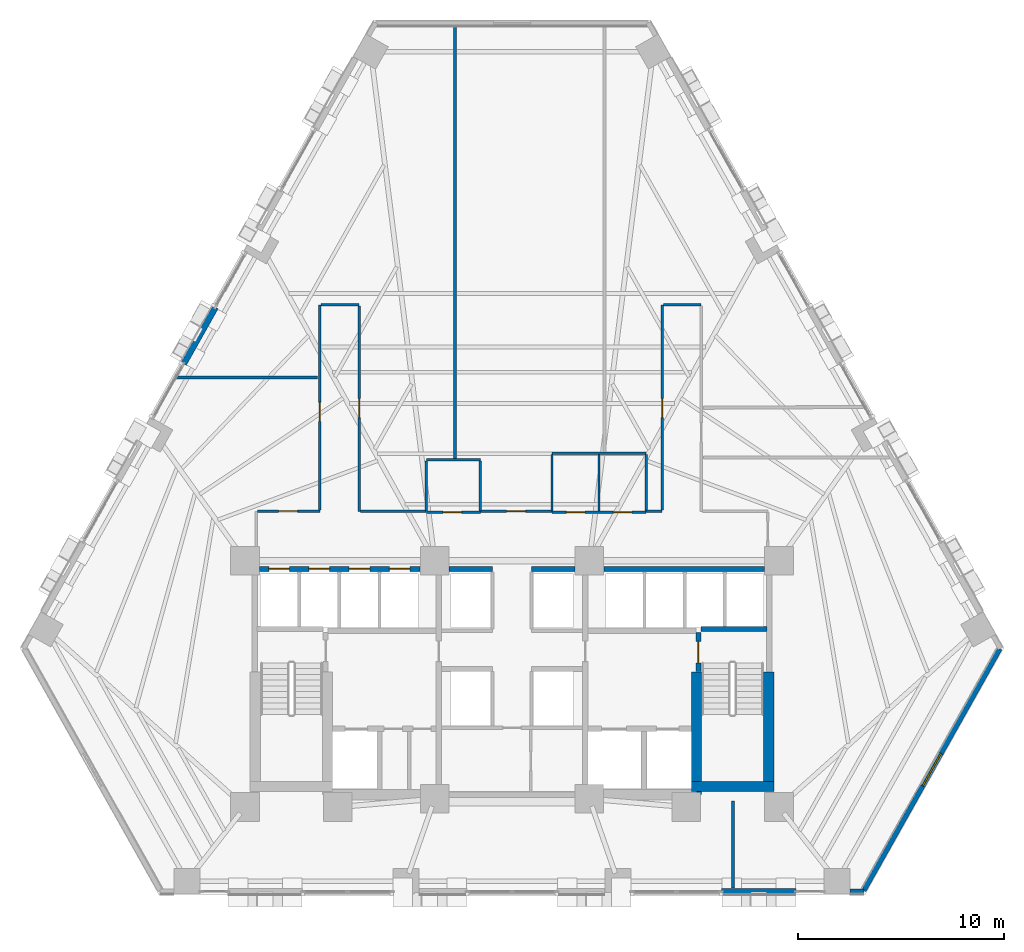
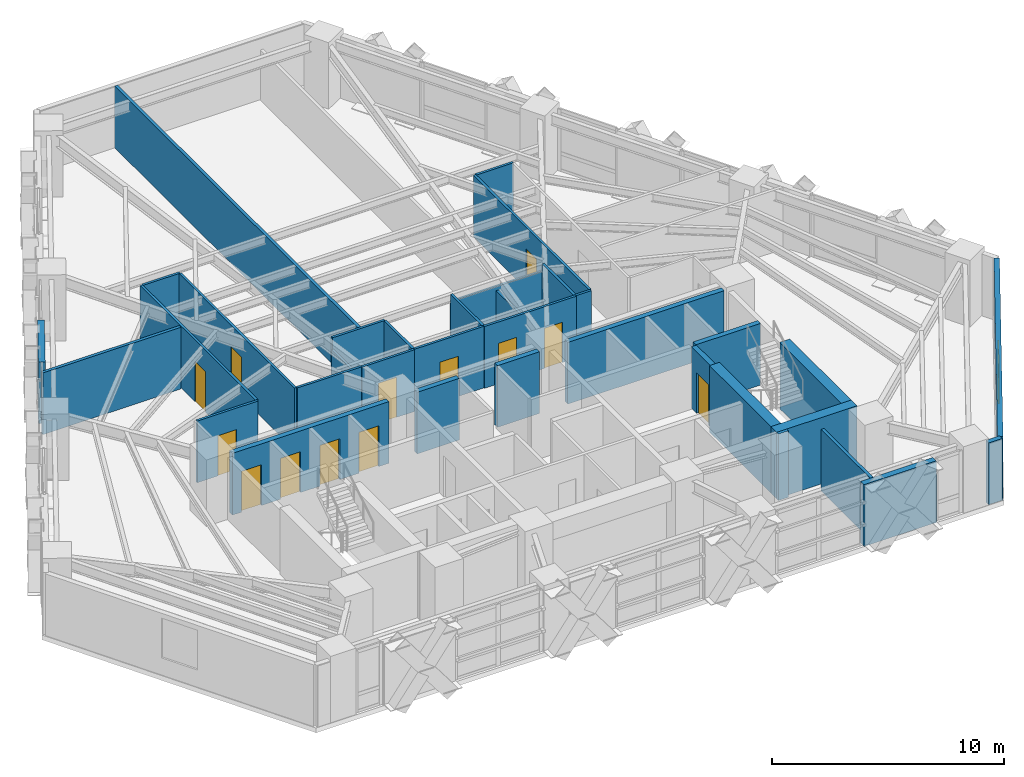
# One storey, part 8 of 13: 34 walls, 13 doors, 1 window, 14 openings.
"""IFC4 building model written with IfcOpenShell, lengths in metres."""

from ifc_helpers import new_model, si_unit, direction, frame, frame_2d, origin, place, context, subcontext, project, spatial, rectangle, extrude, material, layer, layer_set, type_object, element, fill, save


model = new_model("IFC4")

# Units and contexts
model_context = context("Model", 3, precision=1e-05, world=origin(), true_north=direction((0.0, 1.0)))
body_context = subcontext(model_context, "Body", "Model", "MODEL_VIEW")
ifc_project = project(units=[si_unit("LENGTHUNIT", "METRE"), si_unit("AREAUNIT", "SQUARE_METRE"), si_unit("VOLUMEUNIT", "CUBIC_METRE"), si_unit("PLANEANGLEUNIT", "RADIAN"), si_unit("MASSUNIT", "GRAM", prefix="KILO")], contexts=[model_context])

# Site, building, storey
site_placement = place(None, origin())
site = spatial("IfcSite", under=ifc_project, at=site_placement, CompositionType="ELEMENT")
building_placement = place(site_placement, origin())
building = spatial("IfcBuilding", under=site, at=building_placement, Name="Quenlor Broadcast Tower", CompositionType="ELEMENT")
storey_placement = place(building_placement, frame((0.0, 0.0, 62.60009765625)))
storey = spatial("IfcBuildingStorey", under=building, at=storey_placement, Name="L16", CompositionType="ELEMENT", Elevation=62.60009765625)

# Walls
ifc_material_1 = material(Name="Acoustic Double Stud Gypsum Partition", Category="other")
ifc_layer_1 = layer(ifc_material_1, 0.14990234375)
ifc_layer_set_1 = layer_set([ifc_layer_1], Name="Broadcast Studio Acoustic Partition 150")
wall_type_1 = type_object("IfcWallType", Name="Broadcast Studio Acoustic Partition 150", PredefinedType="PARTITIONING", material=ifc_layer_set_1)
wall_1_placement = place(storey_placement, frame((-2.760009765625, 0.169921875, 0.0), z_axis=(0.0, 0.0, 1.0), x_axis=(0.0, 1.0, 0.0)))
element("IfcWall", 1, at=wall_1_placement, inside=storey, type_object=wall_type_1, Name="L16 Interior Wall PW-DV-01", PredefinedType="PARTITIONING", context=body_context, shape_type="SweptSolid", body=[
    extrude(rectangle(XDim=20.97998046875, YDim=0.14990234375, at=frame_2d((10.489990234375, 0.0))), origin(), (0.0, 0.0, 1.0), 3.25),
])
wall_2_placement = place(storey_placement, frame((-9.429931640625, 4.080078125, 0.0), z_axis=(0.0, 0.0, 1.0), x_axis=(-1.0, 0.0, 0.0)))
element("IfcWall", 2, at=wall_2_placement, inside=storey, type_object=wall_type_1, Name="L16 Interior Wall PW-DV-03", PredefinedType="PARTITIONING", context=body_context, shape_type="SweptSolid", body=[
    extrude(rectangle(XDim=6.86767578125, YDim=0.14990234375, at=frame_2d((3.433837890625, 0.0))), origin(), (0.0, 0.0, 1.0), 3.25),
])
wall_3_placement = place(storey_placement, frame((10.72509765625, -20.68798828125, 0.0), z_axis=(0.0, 0.0, 1.0), x_axis=(0.0, 1.0, 0.0)))
element("IfcWall", 3, at=wall_3_placement, inside=storey, type_object=wall_type_1, Name="L16 Interior Wall PW-DV-06", PredefinedType="PARTITIONING", context=body_context, shape_type="SweptSolid", body=[
    extrude(rectangle(XDim=4.238037109375, YDim=0.14990234375, at=frame_2d((2.119140625, 0.0))), origin(), (0.0, 0.0, 1.0), 3.25),
])
ifc_material_2 = material(Name="Concrete C65/80", Category="concrete")
ifc_layer_2 = layer(ifc_material_2, 0.5)
ifc_layer_set_2 = layer_set([ifc_layer_2], Name="Core Concrete C65/80 Shear Wall 500")
wall_type_2 = type_object("IfcWallType", Name="Core Concrete C65/80 Shear Wall 500", PredefinedType="SHEAR", material=ifc_layer_set_2)
wall_4_placement = place(storey_placement, frame((8.699951171875, -15.75, 0.0), z_axis=(0.0, 0.0, 1.0), x_axis=(1.0, 0.0, 0.0)))
element("IfcWall", 4, at=wall_4_placement, inside=storey, type_object=wall_type_2, Name="L16 Core Shear Wall WS-E2", PredefinedType="SHEAR", context=body_context, shape_type="SweptSolid", body=[
    extrude(rectangle(XDim=4.0, YDim=0.5, at=frame_2d((2.0, 0.0))), origin(), (0.0, 0.0, 1.0), 3.5),
])
wall_5_placement = place(storey_placement, frame((12.449951171875, -15.75, 0.0), z_axis=(0.0, 0.0, 1.0), x_axis=(0.0, 1.0, 0.0)))
element("IfcWall", 5, at=wall_5_placement, inside=storey, type_object=wall_type_2, Name="L16 Core Shear Wall WF-E", PredefinedType="SHEAR", context=body_context, shape_type="SweptSolid", body=[
    extrude(rectangle(XDim=5.550048828125, YDim=0.5, at=frame_2d((2.77490234375, 0.0))), origin(), (0.0, 0.0, 1.0), 3.5),
])
wall_6_placement = place(storey_placement, frame((8.949951171875, -16.14990234375, 0.0), z_axis=(0.0, 0.0, 1.0), x_axis=(0.0, 1.0, 0.0)))
element("IfcWall", 6, at=wall_6_placement, inside=storey, type_object=wall_type_2, Name="L16 Core Shear Wall WI-E", PredefinedType="SHEAR", context=body_context, shape_type="SweptSolid", body=[
    extrude(rectangle(XDim=5.949951171875, YDim=0.5, at=frame_2d((2.97509765625, 0.0))), origin(), (0.0, 0.0, 1.0), 3.5),
])

# Wall, opening, door
ifc_material_3 = material(Name="Concrete C40/50", Category="concrete")
ifc_layer_3 = layer(ifc_material_3, 0.25)
ifc_layer_set_3 = layer_set([ifc_layer_3], Name="Fire Rated Concrete C40/50 Core Wall 250")
wall_type_3 = type_object("IfcWallType", Name="Fire Rated Concrete C40/50 Core Wall 250", PredefinedType="PARTITIONING", material=ifc_layer_set_3)
wall_7_placement = place(storey_placement, frame((9.0400390625, -10.179931640625, 0.0), z_axis=(0.0, 0.0, 1.0), x_axis=(0.0, 1.0, 0.0)))
wall_7 = element("IfcWall", 7, at=wall_7_placement, inside=storey, type_object=wall_type_3, Name="L16 Interior Wall CW-ST2-DR", PredefinedType="PARTITIONING", context=body_context, shape_type="SweptSolid", body=[
    extrude(rectangle(XDim=1.89990234375, YDim=0.25, at=frame_2d((0.949951171875, 0.0))), origin(), (0.0, 0.0, 1.0), 3.25),
])
opening_1_placement = place(wall_7_placement, frame((0.419921875, 0.0, 0.0)))
opening_1 = element("IfcOpeningElement", 8, at=opening_1_placement, cuts=wall_7, Name="Opening FD-1", PredefinedType="OPENING", context=body_context, shape_type="SweptSolid", body=[
    extrude(rectangle(XDim=1.050048828125, YDim=2.14990234375, at=frame_2d((0.52490234375, 1.074951171875))), frame((0.0, 0.135009765625, 0.0), z_axis=(0.0, -1.0, 0.0), x_axis=(1.0, 0.0, 0.0)), (0.0, 0.0, 1.0), 0.27001953125),
])
ifc_material_4 = material(Name="Fire Rated Steel Door Leaf", Category="steel")
door_type_1 = type_object("IfcDoorType", Name="Fire Isolated Stair Door 1050x2150", OperationType="NOTDEFINED", PredefinedType="DOOR", material=ifc_material_4)
door_1_placement = place(opening_1_placement, origin())
door_1 = element("IfcDoor", 9, at=door_1_placement, inside=storey, type_object=door_type_1, Name="L16 Door DR-ST2", OperationType="SINGLE_SWING_RIGHT", OverallHeight=2.14990234375, OverallWidth=1.050048828125, PredefinedType="DOOR", context=body_context, shape_type="SweptSolid", body=[
    extrude(rectangle(XDim=1.050048828125, YDim=2.14990234375, at=frame_2d((0.52490234375, 1.074951171875))), frame((0.0, 0.02490234375, 0.0), z_axis=(0.0, -1.0, 0.0), x_axis=(1.0, 0.0, 0.0)), (0.0, 0.0, 1.0), 0.050048828125),
])
fill(opening_1, door_1)

# Wall
wall_8_placement = place(storey_placement, frame((9.159912109375, -8.1201171875, 0.0), z_axis=(0.0, 0.0, 1.0), x_axis=(1.0, 0.0, 0.0)))
element("IfcWall", 10, at=wall_8_placement, inside=storey, type_object=wall_type_3, Name="L16 Interior Wall CW-ST2-N", PredefinedType="PARTITIONING", context=body_context, shape_type="SweptSolid", body=[
    extrude(rectangle(XDim=3.219970703125, YDim=0.25, at=frame_2d((1.60986328125, 0.0))), origin(), (0.0, 0.0, 1.0), 3.25),
])

# Wall, openings, doors
wall_9_placement = place(storey_placement, frame((-12.248046875, -5.199951171875, 0.0), z_axis=(0.0, 0.0, 1.0), x_axis=(1.0, 0.0, 0.0)))
wall_9 = element("IfcWall", 11, at=wall_9_placement, inside=storey, type_object=wall_type_3, Name="L16 Interior Wall CW-N-W", PredefinedType="PARTITIONING", context=body_context, shape_type="SweptSolid", body=[
    extrude(rectangle(XDim=7.796142578125, YDim=0.25, at=frame_2d((3.89794921875, 0.0))), origin(), (0.0, 0.0, 1.0), 3.25),
])
opening_2_placement = place(wall_9_placement, frame((0.447998046875, 0.0, 0.0)))
opening_2 = element("IfcOpeningElement", 12, at=opening_2_placement, cuts=wall_9, Name="Opening LD-PL-L1", PredefinedType="OPENING", context=body_context, shape_type="SweptSolid", body=[
    extrude(rectangle(XDim=1.0, YDim=2.14990234375, at=frame_2d((0.5, 1.074951171875))), frame((0.0, 0.135009765625, 0.0), z_axis=(0.0, -1.0, 0.0), x_axis=(1.0, 0.0, 0.0)), (0.0, 0.0, 1.0), 0.27001953125),
])
opening_3_placement = place(wall_9_placement, frame((2.39794921875, 0.0, 0.0)))
opening_3 = element("IfcOpeningElement", 13, at=opening_3_placement, cuts=wall_9, Name="Opening LD-PL-L2", PredefinedType="OPENING", context=body_context, shape_type="SweptSolid", body=[
    extrude(rectangle(XDim=1.0, YDim=2.14990234375, at=frame_2d((0.5, 1.074951171875))), frame((0.0, 0.135009765625, 0.0), z_axis=(0.0, -1.0, 0.0), x_axis=(1.0, 0.0, 0.0)), (0.0, 0.0, 1.0), 0.27001953125),
])
opening_4_placement = place(wall_9_placement, frame((4.347900390625, 0.0, 0.0)))
opening_4 = element("IfcOpeningElement", 14, at=opening_4_placement, cuts=wall_9, Name="Opening LD-PL-L3", PredefinedType="OPENING", context=body_context, shape_type="SweptSolid", body=[
    extrude(rectangle(XDim=1.0, YDim=2.14990234375, at=frame_2d((0.5, 1.074951171875))), frame((0.0, 0.135009765625, 0.0), z_axis=(0.0, -1.0, 0.0), x_axis=(1.0, 0.0, 0.0)), (0.0, 0.0, 1.0), 0.27001953125),
])
opening_5_placement = place(wall_9_placement, frame((6.298095703125, 0.0, 0.0)))
opening_5 = element("IfcOpeningElement", 15, at=opening_5_placement, cuts=wall_9, Name="Opening LD-PL-L4", PredefinedType="OPENING", context=body_context, shape_type="SweptSolid", body=[
    extrude(rectangle(XDim=1.0, YDim=2.14990234375, at=frame_2d((0.5, 1.074951171875))), frame((0.0, 0.135009765625, 0.0), z_axis=(0.0, -1.0, 0.0), x_axis=(1.0, 0.0, 0.0)), (0.0, 0.0, 1.0), 0.27001953125),
])
ifc_material_5 = material(Name="Brushed Stainless Steel", Category="steel")
door_type_2 = type_object("IfcDoorType", Name="Passenger Lift Sliding Landing Door 1000x2150", OperationType="NOTDEFINED", PredefinedType="DOOR", material=ifc_material_5)
door_2_placement = place(opening_2_placement, origin())
door_2 = element("IfcDoor", 16, at=door_2_placement, inside=storey, type_object=door_type_2, Name="L16 Door LD-PL-L1", OperationType="SLIDING_TO_LEFT", OverallHeight=2.14990234375, OverallWidth=1.0, PredefinedType="DOOR", context=body_context, shape_type="SweptSolid", body=[
    extrude(rectangle(XDim=1.0, YDim=2.14990234375, at=frame_2d((0.5, 1.074951171875))), frame((0.0, 0.02490234375, 0.0), z_axis=(0.0, -1.0, 0.0), x_axis=(1.0, 0.0, 0.0)), (0.0, 0.0, 1.0), 0.050048828125),
])
fill(opening_2, door_2)
door_3_placement = place(opening_3_placement, origin())
door_3 = element("IfcDoor", 17, at=door_3_placement, inside=storey, type_object=door_type_2, Name="L16 Door LD-PL-L2", OperationType="SLIDING_TO_LEFT", OverallHeight=2.14990234375, OverallWidth=1.0, PredefinedType="DOOR", context=body_context, shape_type="SweptSolid", body=[
    extrude(rectangle(XDim=1.0, YDim=2.14990234375, at=frame_2d((0.5, 1.074951171875))), frame((0.0, 0.02490234375, 0.0), z_axis=(0.0, -1.0, 0.0), x_axis=(1.0, 0.0, 0.0)), (0.0, 0.0, 1.0), 0.050048828125),
])
fill(opening_3, door_3)
door_4_placement = place(opening_4_placement, origin())
door_4 = element("IfcDoor", 18, at=door_4_placement, inside=storey, type_object=door_type_2, Name="L16 Door LD-PL-L3", OperationType="SLIDING_TO_LEFT", OverallHeight=2.14990234375, OverallWidth=1.0, PredefinedType="DOOR", context=body_context, shape_type="SweptSolid", body=[
    extrude(rectangle(XDim=1.0, YDim=2.14990234375, at=frame_2d((0.5, 1.074951171875))), frame((0.0, 0.02490234375, 0.0), z_axis=(0.0, -1.0, 0.0), x_axis=(1.0, 0.0, 0.0)), (0.0, 0.0, 1.0), 0.050048828125),
])
fill(opening_4, door_4)
door_5_placement = place(opening_5_placement, origin())
door_5 = element("IfcDoor", 19, at=door_5_placement, inside=storey, type_object=door_type_2, Name="L16 Door LD-PL-L4", OperationType="SLIDING_TO_LEFT", OverallHeight=2.14990234375, OverallWidth=1.0, PredefinedType="DOOR", context=body_context, shape_type="SweptSolid", body=[
    extrude(rectangle(XDim=1.0, YDim=2.14990234375, at=frame_2d((0.5, 1.074951171875))), frame((0.0, 0.02490234375, 0.0), z_axis=(0.0, -1.0, 0.0), x_axis=(1.0, 0.0, 0.0)), (0.0, 0.0, 1.0), 0.050048828125),
])
fill(opening_5, door_5)

# Walls
wall_10_placement = place(storey_placement, frame((4.451904296875, -5.199951171875, 0.0), z_axis=(0.0, 0.0, 1.0), x_axis=(1.0, 0.0, 0.0)))
element("IfcWall", 20, at=wall_10_placement, inside=storey, type_object=wall_type_3, Name="L16 Interior Wall CW-N-E", PredefinedType="PARTITIONING", context=body_context, shape_type="SweptSolid", body=[
    extrude(rectangle(XDim=7.796142578125, YDim=0.25, at=frame_2d((3.89794921875, 0.0))), origin(), (0.0, 0.0, 1.0), 3.25),
])
for number, where, z_axis, x_axis, name in (
    (21, (-3.048095703125, -5.199951171875, 0.0), (0.0, 0.0, 1.0), (1.0, 0.0, 0.0), "L16 Interior Wall CW-N-M1"),
    (22, (0.949951171875, -5.199951171875, 0.0), (0.0, 0.0, 1.0), (1.0, 0.0, 0.0), "L16 Interior Wall CW-N-M2"),
):
    element("IfcWall", number, at=place(storey_placement, frame(where, z_axis=z_axis, x_axis=x_axis)), inside=storey, type_object=wall_type_3, Name=name, PredefinedType="PARTITIONING", context=body_context, shape_type="SweptSolid", body=[
        extrude(rectangle(XDim=2.09814453125, YDim=0.25, at=frame_2d((1.049072265625, 0.0))), origin(), (0.0, 0.0, 1.0), 3.25),
    ])

# Wall, opening, door
ifc_material_6 = material(Name="Gypsum Plasterboard Partition", Category="other")
ifc_layer_4 = layer(ifc_material_6, 0.1201171875)
ifc_layer_set_4 = layer_set([ifc_layer_4], Name="Standard Office Partition 120")
wall_type_4 = type_object("IfcWallType", Name="Standard Office Partition 120", PredefinedType="PARTITIONING", material=ifc_layer_set_4)
wall_11_placement = place(storey_placement, frame((-4.159912109375, -2.43994140625, 0.0), z_axis=(0.0, 0.0, 1.0), x_axis=(1.0, 0.0, 0.0)))
wall_11 = element("IfcWall", 23, at=wall_11_placement, inside=storey, type_object=wall_type_4, Name="L16 Interior Wall PW-AWC-S", PredefinedType="PARTITIONING", context=body_context, shape_type="SweptSolid", body=[
    extrude(rectangle(XDim=2.619873046875, YDim=0.1201171875, at=frame_2d((1.31005859375, 0.0))), origin(), (0.0, 0.0, 1.0), 3.25),
])
opening_6_placement = place(wall_11_placement, frame((0.820068359375, 0.0, 0.0)))
opening_6 = element("IfcOpeningElement", 24, at=opening_6_placement, cuts=wall_11, Name="Opening ID-3", PredefinedType="OPENING", context=body_context, shape_type="SweptSolid", body=[
    extrude(rectangle(XDim=0.89990234375, YDim=2.1201171875, at=frame_2d((0.449951171875, 1.06005859375))), frame((0.0, 0.070068359375, 0.0), z_axis=(0.0, -1.0, 0.0), x_axis=(1.0, 0.0, 0.0)), (0.0, 0.0, 1.0), 0.14013671875),
])
ifc_material_7 = material(Name="Moisture Resistant Timber Oak", Category="wood")
door_type_3 = type_object("IfcDoorType", Name="Washroom Privacy Door 900x2120", OperationType="NOTDEFINED", PredefinedType="DOOR", material=ifc_material_7)
door_6_placement = place(opening_6_placement, origin())
door_6 = element("IfcDoor", 25, at=door_6_placement, inside=storey, type_object=door_type_3, Name="L16 Door DR-AWC", OperationType="SINGLE_SWING_LEFT", OverallHeight=2.1201171875, OverallWidth=0.89990234375, PredefinedType="DOOR", context=body_context, shape_type="SweptSolid", body=[
    extrude(rectangle(XDim=0.89990234375, YDim=2.1201171875, at=frame_2d((0.449951171875, 1.06005859375))), frame((0.0, 0.02490234375, 0.0), z_axis=(0.0, -1.0, 0.0), x_axis=(1.0, 0.0, 0.0)), (0.0, 0.0, 1.0), 0.050048828125),
])
fill(opening_6, door_6)

# Walls
wall_12_placement = place(storey_placement, frame((-4.159912109375, 0.110107421875, 0.0), z_axis=(0.0, 0.0, 1.0), x_axis=(1.0, 0.0, 0.0)))
element("IfcWall", 26, at=wall_12_placement, inside=storey, type_object=wall_type_4, Name="L16 Interior Wall PW-AWC-N", PredefinedType="PARTITIONING", context=body_context, shape_type="SweptSolid", body=[
    extrude(rectangle(XDim=2.619873046875, YDim=0.1201171875, at=frame_2d((1.31005859375, 0.0))), origin(), (0.0, 0.0, 1.0), 3.25),
])
wall_13_placement = place(storey_placement, frame((-4.159912109375, -2.3779296875, 0.0), z_axis=(0.0, 0.0, 1.0), x_axis=(0.0, 1.0, 0.0)))
element("IfcWall", 27, at=wall_13_placement, inside=storey, type_object=wall_type_4, Name="L16 Interior Wall PW-AWC-W", PredefinedType="PARTITIONING", context=body_context, shape_type="SweptSolid", body=[
    extrude(rectangle(XDim=2.426025390625, YDim=0.1201171875, at=frame_2d((1.212890625, 0.0))), origin(), (0.0, 0.0, 1.0), 2.63818359375),
])
wall_14_placement = place(storey_placement, frame((-1.5400390625, -2.3779296875, 0.0), z_axis=(0.0, 0.0, 1.0), x_axis=(0.0, 1.0, 0.0)))
element("IfcWall", 28, at=wall_14_placement, inside=storey, type_object=wall_type_4, Name="L16 Interior Wall PW-AWC-E", PredefinedType="PARTITIONING", context=body_context, shape_type="SweptSolid", body=[
    extrude(rectangle(XDim=2.426025390625, YDim=0.1201171875, at=frame_2d((1.212890625, 0.0))), origin(), (0.0, 0.0, 1.0), 3.25),
])

# Wall, openings, doors
wall_15_placement = place(storey_placement, frame((1.93994140625, -2.43994140625, 0.0), z_axis=(0.0, 0.0, 1.0), x_axis=(1.0, 0.0, 0.0)))
wall_15 = element("IfcWall", 29, at=wall_15_placement, inside=storey, type_object=wall_type_4, Name="L16 Interior Wall PW-WC-S", PredefinedType="PARTITIONING", context=body_context, shape_type="SweptSolid", body=[
    extrude(rectangle(XDim=4.570068359375, YDim=0.1201171875, at=frame_2d((2.28515625, 0.0))), origin(), (0.0, 0.0, 1.0), 3.25),
])
opening_7_placement = place(wall_15_placement, frame((0.699951171875, 0.0, 0.0)))
opening_7 = element("IfcOpeningElement", 30, at=opening_7_placement, cuts=wall_15, Name="Opening ID-3", PredefinedType="OPENING", context=body_context, shape_type="SweptSolid", body=[
    extrude(rectangle(XDim=0.89990234375, YDim=2.1201171875, at=frame_2d((0.449951171875, 1.06005859375))), frame((0.0, 0.070068359375, 0.0), z_axis=(0.0, -1.0, 0.0), x_axis=(1.0, 0.0, 0.0)), (0.0, 0.0, 1.0), 0.14013671875),
])
opening_8_placement = place(wall_15_placement, frame((2.97998046875, 0.0, 0.0)))
opening_8 = element("IfcOpeningElement", 31, at=opening_8_placement, cuts=wall_15, Name="Opening ID-3", PredefinedType="OPENING", context=body_context, shape_type="SweptSolid", body=[
    extrude(rectangle(XDim=0.89990234375, YDim=2.1201171875, at=frame_2d((0.449951171875, 1.06005859375))), frame((0.0, 0.070068359375, 0.0), z_axis=(0.0, -1.0, 0.0), x_axis=(1.0, 0.0, 0.0)), (0.0, 0.0, 1.0), 0.14013671875),
])
door_7_placement = place(opening_7_placement, origin())
door_7 = element("IfcDoor", 32, at=door_7_placement, inside=storey, type_object=door_type_3, Name="L16 Door DR-MWC", OperationType="SINGLE_SWING_LEFT", OverallHeight=2.1201171875, OverallWidth=0.89990234375, PredefinedType="DOOR", context=body_context, shape_type="SweptSolid", body=[
    extrude(rectangle(XDim=0.89990234375, YDim=2.1201171875, at=frame_2d((0.449951171875, 1.06005859375))), frame((0.0, 0.02490234375, 0.0), z_axis=(0.0, -1.0, 0.0), x_axis=(1.0, 0.0, 0.0)), (0.0, 0.0, 1.0), 0.050048828125),
])
fill(opening_7, door_7)
door_8_placement = place(opening_8_placement, origin())
door_8 = element("IfcDoor", 33, at=door_8_placement, inside=storey, type_object=door_type_3, Name="L16 Door DR-FWC", OperationType="SINGLE_SWING_RIGHT", OverallHeight=2.1201171875, OverallWidth=0.89990234375, PredefinedType="DOOR", context=body_context, shape_type="SweptSolid", body=[
    extrude(rectangle(XDim=0.89990234375, YDim=2.1201171875, at=frame_2d((0.449951171875, 1.06005859375))), frame((0.0, 0.02490234375, 0.0), z_axis=(0.0, -1.0, 0.0), x_axis=(1.0, 0.0, 0.0)), (0.0, 0.0, 1.0), 0.050048828125),
])
fill(opening_8, door_8)

# Walls
wall_16_placement = place(storey_placement, frame((1.93994140625, 0.409912109375, 0.0), z_axis=(0.0, 0.0, 1.0), x_axis=(1.0, 0.0, 0.0)))
element("IfcWall", 34, at=wall_16_placement, inside=storey, type_object=wall_type_4, Name="L16 Interior Wall PW-WC-N", PredefinedType="PARTITIONING", context=body_context, shape_type="SweptSolid", body=[
    extrude(rectangle(XDim=4.570068359375, YDim=0.1201171875, at=frame_2d((2.28515625, 0.0))), origin(), (0.0, 0.0, 1.0), 2.843505859375),
])
wall_17_placement = place(storey_placement, frame((1.93994140625, -2.3779296875, 0.0), z_axis=(0.0, 0.0, 1.0), x_axis=(0.0, 1.0, 0.0)))
element("IfcWall", 35, at=wall_17_placement, inside=storey, type_object=wall_type_4, Name="L16 Interior Wall PW-WC-W", PredefinedType="PARTITIONING", context=body_context, shape_type="SweptSolid", body=[
    extrude(rectangle(XDim=2.725830078125, YDim=0.1201171875, at=frame_2d((1.36279296875, 0.0))), origin(), (0.0, 0.0, 1.0), 3.25),
])
wall_18_placement = place(storey_placement, frame((4.219970703125, -2.3779296875, 0.0), z_axis=(0.0, 0.0, 1.0), x_axis=(0.0, 1.0, 0.0)))
element("IfcWall", 36, at=wall_18_placement, inside=storey, type_object=wall_type_4, Name="L16 Interior Wall PW-WC-M", PredefinedType="PARTITIONING", context=body_context, shape_type="SweptSolid", body=[
    extrude(rectangle(XDim=2.725830078125, YDim=0.1201171875, at=frame_2d((1.36279296875, 0.0))), origin(), (0.0, 0.0, 1.0), 2.63818359375),
])
wall_19_placement = place(storey_placement, frame((6.510009765625, -2.3779296875, 0.0), z_axis=(0.0, 0.0, 1.0), x_axis=(0.0, 1.0, 0.0)))
element("IfcWall", 37, at=wall_19_placement, inside=storey, type_object=wall_type_4, Name="L16 Interior Wall PW-WC-E", PredefinedType="PARTITIONING", context=body_context, shape_type="SweptSolid", body=[
    extrude(rectangle(XDim=2.725830078125, YDim=0.1201171875, at=frame_2d((1.36279296875, 0.0))), origin(), (0.0, 0.0, 1.0), 3.25),
])

# Wall, opening, door
wall_20_placement = place(storey_placement, frame((-12.347900390625, -2.39990234375, 0.0), z_axis=(0.0, 0.0, 1.0), x_axis=(1.0, 0.0, 0.0)))
wall_20 = element("IfcWall", 38, at=wall_20_placement, inside=storey, type_object=wall_type_4, Name="L16 Interior Wall PW-CR-02", PredefinedType="PARTITIONING", context=body_context, shape_type="SweptSolid", body=[
    extrude(rectangle(XDim=3.02783203125, YDim=0.1201171875, at=frame_2d((1.513916015625, 0.0))), origin(), (0.0, 0.0, 1.0), 3.25),
])
opening_9_placement = place(wall_20_placement, frame((1.02294921875, 0.0, 0.0)))
opening_9 = element("IfcOpeningElement", 39, at=opening_9_placement, cuts=wall_20, Name="Opening ID-1", PredefinedType="OPENING", context=body_context, shape_type="SweptSolid", body=[
    extrude(rectangle(XDim=0.919921875, YDim=2.1201171875, at=frame_2d((0.4599609375, 1.06005859375))), frame((0.0, 0.070068359375, 0.0), z_axis=(0.0, -1.0, 0.0), x_axis=(1.0, 0.0, 0.0)), (0.0, 0.0, 1.0), 0.14013671875),
])
ifc_material_8 = material(Name="Solid Core Timber Oak", Category="wood")
door_type_4 = type_object("IfcDoorType", Name="Single Leaf Timber Office Door 920x2120", OperationType="NOTDEFINED", PredefinedType="DOOR", material=ifc_material_8)
door_9_placement = place(opening_9_placement, origin())
door_9 = element("IfcDoor", 40, at=door_9_placement, inside=storey, type_object=door_type_4, Name="L16 Door DR-RM07", OperationType="SINGLE_SWING_RIGHT", OverallHeight=2.1201171875, OverallWidth=0.919921875, PredefinedType="DOOR", context=body_context, shape_type="SweptSolid", body=[
    extrude(rectangle(XDim=0.919921875, YDim=2.1201171875, at=frame_2d((0.4599609375, 1.06005859375))), frame((0.0, 0.02490234375, 0.0), z_axis=(0.0, -1.0, 0.0), x_axis=(1.0, 0.0, 0.0)), (0.0, 0.0, 1.0), 0.050048828125),
])
fill(opening_9, door_9)

wall_21_placement = place(storey_placement, frame((-9.320068359375, -2.337890625, 0.0), z_axis=(0.0, 0.0, 1.0), x_axis=(0.0, 1.0, 0.0)))
wall_21 = element("IfcWall", 41, at=wall_21_placement, inside=storey, type_object=wall_type_4, Name="L16 Interior Wall PW-CR-03", PredefinedType="PARTITIONING", context=body_context, shape_type="SweptSolid", body=[
    extrude(rectangle(XDim=9.947998046875, YDim=0.1201171875, at=frame_2d((4.97412109375, 0.0))), origin(), (0.0, 0.0, 1.0), 3.25),
])
opening_10_placement = place(wall_21_placement, frame((4.302978515625, 0.0, 0.0)))
opening_10 = element("IfcOpeningElement", 42, at=opening_10_placement, cuts=wall_21, Name="Opening ID-1", PredefinedType="OPENING", context=body_context, shape_type="SweptSolid", body=[
    extrude(rectangle(XDim=0.919921875, YDim=2.1201171875, at=frame_2d((0.4599609375, 1.06005859375))), frame((0.0, 0.070068359375, 0.0), z_axis=(0.0, -1.0, 0.0), x_axis=(1.0, 0.0, 0.0)), (0.0, 0.0, 1.0), 0.14013671875),
])
door_10_placement = place(opening_10_placement, origin())
door_10 = element("IfcDoor", 43, at=door_10_placement, inside=storey, type_object=door_type_4, Name="L16 Door DR-RM04", OperationType="SINGLE_SWING_LEFT", OverallHeight=2.1201171875, OverallWidth=0.919921875, PredefinedType="DOOR", context=body_context, shape_type="SweptSolid", body=[
    extrude(rectangle(XDim=0.919921875, YDim=2.1201171875, at=frame_2d((0.4599609375, 1.06005859375))), frame((0.0, 0.02490234375, 0.0), z_axis=(0.0, -1.0, 0.0), x_axis=(1.0, 0.0, 0.0)), (0.0, 0.0, 1.0), 0.050048828125),
])
fill(opening_10, door_10)

# Wall
wall_22_placement = place(storey_placement, frame((-9.258056640625, 7.610107421875, 0.0), z_axis=(0.0, 0.0, 1.0), x_axis=(1.0, 0.0, 0.0)))
element("IfcWall", 44, at=wall_22_placement, inside=storey, type_object=wall_type_4, Name="L16 Interior Wall PW-CR-04", PredefinedType="PARTITIONING", context=body_context, shape_type="SweptSolid", body=[
    extrude(rectangle(XDim=1.838134765625, YDim=0.1201171875, at=frame_2d((0.9189453125, 0.0))), origin(), (0.0, 0.0, 1.0), 3.25),
])

# Wall, opening, door
wall_23_placement = place(storey_placement, frame((-7.419921875, 7.548095703125, 0.0), z_axis=(0.0, 0.0, 1.0), x_axis=(0.0, -1.0, 0.0)))
wall_23 = element("IfcWall", 45, at=wall_23_placement, inside=storey, type_object=wall_type_4, Name="L16 Interior Wall PW-CR-05", PredefinedType="PARTITIONING", context=body_context, shape_type="SweptSolid", body=[
    extrude(rectangle(XDim=9.947998046875, YDim=0.1201171875, at=frame_2d((4.97412109375, 0.0))), origin(), (0.0, 0.0, 1.0), 3.25),
])
opening_11_placement = place(wall_23_placement, frame((4.48291015625, 0.0, 0.0)))
opening_11 = element("IfcOpeningElement", 46, at=opening_11_placement, cuts=wall_23, Name="Opening ID-1", PredefinedType="OPENING", context=body_context, shape_type="SweptSolid", body=[
    extrude(rectangle(XDim=0.919921875, YDim=2.1201171875, at=frame_2d((0.4599609375, 1.06005859375))), frame((0.0, 0.070068359375, 0.0), z_axis=(0.0, -1.0, 0.0), x_axis=(1.0, 0.0, 0.0)), (0.0, 0.0, 1.0), 0.14013671875),
])
door_11_placement = place(opening_11_placement, origin())
door_11 = element("IfcDoor", 47, at=door_11_placement, inside=storey, type_object=door_type_4, Name="L16 Door DR-RM02", OperationType="SINGLE_SWING_LEFT", OverallHeight=2.1201171875, OverallWidth=0.919921875, PredefinedType="DOOR", context=body_context, shape_type="SweptSolid", body=[
    extrude(rectangle(XDim=0.919921875, YDim=2.1201171875, at=frame_2d((0.4599609375, 1.06005859375))), frame((0.0, 0.02490234375, 0.0), z_axis=(0.0, -1.0, 0.0), x_axis=(1.0, 0.0, 0.0)), (0.0, 0.0, 1.0), 0.050048828125),
])
fill(opening_11, door_11)

# Wall
wall_24_placement = place(storey_placement, frame((-7.35791015625, -2.400146484375, 0.0), z_axis=(0.0, 0.0, 1.0), x_axis=(0.999995308264, -0.003063241869, 0.0)))
element("IfcWall", 48, at=wall_24_placement, inside=storey, type_object=wall_type_4, Name="L16 Interior Wall PW-CR-06", PredefinedType="PARTITIONING", context=body_context, shape_type="SweptSolid", body=[
    extrude(rectangle(XDim=3.18798828125, YDim=0.1201171875, at=frame_2d((1.593994140625, 0.0))), origin(), (0.0, 0.0, 1.0), 3.25),
])

# Wall, opening, door
wall_25_placement = place(storey_placement, frame((-1.5380859375, -2.40771484375, 0.0), z_axis=(0.0, 0.0, 1.0), x_axis=(0.999999644832, 0.000842814703, 0.0)))
wall_25 = element("IfcWall", 49, at=wall_25_placement, inside=storey, type_object=wall_type_4, Name="L16 Interior Wall PW-CR-07", PredefinedType="PARTITIONING", context=body_context, shape_type="SweptSolid", body=[
    extrude(rectangle(XDim=3.47607421875, YDim=0.1201171875, at=frame_2d((1.738037109375, 0.0))), origin(), (0.0, 0.0, 1.0), 3.25),
])
opening_12_placement = place(wall_25_placement, frame((1.278076171875, 0.0, 0.0)))
opening_12 = element("IfcOpeningElement", 50, at=opening_12_placement, cuts=wall_25, Name="Opening ID-1", PredefinedType="OPENING", context=body_context, shape_type="SweptSolid", body=[
    extrude(rectangle(XDim=0.919921875, YDim=2.1201171875, at=frame_2d((0.4599609375, 1.06005859375))), frame((0.0, 0.070068359375, 0.0), z_axis=(0.0, -1.0, 0.0), x_axis=(1.0, 0.0, 0.0)), (0.0, 0.0, 1.0), 0.14013671875),
])
door_12_placement = place(opening_12_placement, origin())
door_12 = element("IfcDoor", 51, at=door_12_placement, inside=storey, type_object=door_type_4, Name="L16 Door DR-RM01", OperationType="SINGLE_SWING_RIGHT", OverallHeight=2.1201171875, OverallWidth=0.919921875, PredefinedType="DOOR", context=body_context, shape_type="SweptSolid", body=[
    extrude(rectangle(XDim=0.919921875, YDim=2.1201171875, at=frame_2d((0.4599609375, 1.06005859375))), frame((0.0, 0.02490234375, 0.0), z_axis=(0.0, -1.0, 0.0), x_axis=(1.0, 0.0, 0.0)), (0.0, 0.0, 1.0), 0.050048828125),
])
fill(opening_12, door_12)

# Wall
wall_26_placement = place(storey_placement, frame((6.511962890625, -2.400634765625, 0.0), z_axis=(0.0, 0.0, 1.0), x_axis=(0.999999545332, 0.000953591429, 0.0)))
element("IfcWall", 52, at=wall_26_placement, inside=storey, type_object=wall_type_4, Name="L16 Interior Wall PW-CR-07S2", PredefinedType="PARTITIONING", context=body_context, shape_type="SweptSolid", body=[
    extrude(rectangle(XDim=0.76806640625, YDim=0.1201171875, at=frame_2d((0.384033203125, 0.0))), origin(), (0.0, 0.0, 1.0), 3.25),
])

# Wall, opening, door
wall_27_placement = place(storey_placement, frame((7.280029296875, -2.337890625, 0.0), z_axis=(0.0, 0.0, 1.0), x_axis=(0.0, 1.0, 0.0)))
wall_27 = element("IfcWall", 53, at=wall_27_placement, inside=storey, type_object=wall_type_4, Name="L16 Interior Wall PW-CR-08", PredefinedType="PARTITIONING", context=body_context, shape_type="SweptSolid", body=[
    extrude(rectangle(XDim=9.947998046875, YDim=0.1201171875, at=frame_2d((4.97412109375, 0.0))), origin(), (0.0, 0.0, 1.0), 3.25),
])
opening_13_placement = place(wall_27_placement, frame((4.48291015625, 0.0, 0.0)))
opening_13 = element("IfcOpeningElement", 54, at=opening_13_placement, cuts=wall_27, Name="Opening ID-1", PredefinedType="OPENING", context=body_context, shape_type="SweptSolid", body=[
    extrude(rectangle(XDim=0.919921875, YDim=2.1201171875, at=frame_2d((0.4599609375, 1.06005859375))), frame((0.0, 0.070068359375, 0.0), z_axis=(0.0, -1.0, 0.0), x_axis=(1.0, 0.0, 0.0)), (0.0, 0.0, 1.0), 0.14013671875),
])
door_13_placement = place(opening_13_placement, origin())
door_13 = element("IfcDoor", 55, at=door_13_placement, inside=storey, type_object=door_type_4, Name="L16 Door DR-RM03", OperationType="SINGLE_SWING_RIGHT", OverallHeight=2.1201171875, OverallWidth=0.919921875, PredefinedType="DOOR", context=body_context, shape_type="SweptSolid", body=[
    extrude(rectangle(XDim=0.919921875, YDim=2.1201171875, at=frame_2d((0.4599609375, 1.06005859375))), frame((0.0, 0.02490234375, 0.0), z_axis=(0.0, -1.0, 0.0), x_axis=(1.0, 0.0, 0.0)), (0.0, 0.0, 1.0), 0.050048828125),
])
fill(opening_13, door_13)

# Walls
wall_28_placement = place(storey_placement, frame((7.342041015625, 7.610107421875, 0.0), z_axis=(0.0, 0.0, 1.0), x_axis=(1.0, 0.0, 0.0)))
element("IfcWall", 56, at=wall_28_placement, inside=storey, type_object=wall_type_4, Name="L16 Interior Wall PW-CR-09", PredefinedType="PARTITIONING", context=body_context, shape_type="SweptSolid", body=[
    extrude(rectangle(XDim=1.837890625, YDim=0.1201171875, at=frame_2d((0.9189453125, 0.0))), origin(), (0.0, 0.0, 1.0), 3.25),
])
ifc_material_9 = material(Name="Precast concrete C40/50", Category="concrete")
ifc_layer_5 = layer(ifc_material_9, 0.239990234375)
ifc_layer_set_5 = layer_set([ifc_layer_5], Name="Terrace Threshold Precast Concrete C40/50 Wall 240")
wall_type_5 = type_object("IfcWallType", Name="Terrace Threshold Precast Concrete C40/50 Wall 240", PredefinedType="STANDARD", material=ifc_layer_set_5)
wall_29_placement = place(storey_placement, frame((17.075927734375, -20.840087890625, 0.0), z_axis=(0.0, 0.0, 1.0), x_axis=(-1.0, 0.0, 0.0)))
element("IfcWall", 57, at=wall_29_placement, inside=storey, type_object=wall_type_5, Name="L16 Exterior Wall L16-SHD-SS0", PredefinedType="STANDARD", context=body_context, shape_type="SweptSolid", body=[
    extrude(rectangle(XDim=0.680908203125, YDim=0.239990234375, at=frame_2d((0.34033203125, 0.0))), origin(), (0.0, 0.0, 1.0), 3.25),
])

# Wall, opening, window
wall_30_placement = place(storey_placement, frame((17.06689453125, -20.79638671875, 0.0), z_axis=(0.0, 0.0, 1.0), x_axis=(0.490268135177, 0.871571658345, 0.0)))
wall_30 = element("IfcWall", 58, at=wall_30_placement, inside=storey, type_object=wall_type_5, Name="L16 Exterior Wall L16-CNR-06", PredefinedType="STANDARD", context=body_context, shape_type="SweptSolid", body=[
    extrude(rectangle(XDim=13.44775390625, YDim=0.239990234375, at=frame_2d((6.723876953125, 0.0))), origin(), (0.0, 0.0, 1.0), 3.25),
])
opening_14_placement = place(wall_30_placement, frame((5.823974609375, 0.0, 0.89990234375)))
opening_14 = element("IfcOpeningElement", 59, at=opening_14_placement, cuts=wall_30, Name="Opening WN-1", PredefinedType="OPENING", context=body_context, shape_type="SweptSolid", body=[
    extrude(rectangle(XDim=1.800048828125, YDim=2.10009765625, at=frame_2d((0.89990234375, 1.050048828125))), frame((0.0, 0.1298828125, 0.0), z_axis=(0.0, -1.0, 0.0), x_axis=(1.0, 0.0, 0.0)), (0.0, 0.0, 1.0), 0.260009765625),
])
ifc_material_10 = material(Name="Thermally Broken Aluminium and Low-E Glass", Category="aluminium")
window_type = type_object("IfcWindowType", Name="Tower Acoustic Vision Window 1800x2100", PartitioningType="SINGLE_PANEL", PredefinedType="WINDOW", material=ifc_material_10)
window_placement = place(opening_14_placement, origin())
window = element("IfcWindow", 60, at=window_placement, inside=storey, type_object=window_type, Name="L16 Corner Chamfer Window 6", OverallHeight=2.10009765625, OverallWidth=1.800048828125, PartitioningType="SINGLE_PANEL", PredefinedType="WINDOW", context=body_context, shape_type="SweptSolid", body=[
    extrude(rectangle(XDim=1.800048828125, YDim=2.10009765625, at=frame_2d((0.89990234375, 1.050048828125))), frame((0.0, 0.030029296875, 0.0), z_axis=(0.0, -1.0, 0.0), x_axis=(1.0, 0.0, 0.0)), (0.0, 0.0, 1.0), 0.06005859375),
])
fill(opening_14, window)

# Walls
ifc_material_11 = material(Name="Precast concrete C40/50", Category="concrete")
ifc_layer_6 = layer(ifc_material_11, 0.300048828125)
ifc_layer_set_6 = layer_set([ifc_layer_6], Name="Terracotta Precast Concrete C40/50 Spandrel Wall 300")
wall_type_6 = type_object("IfcWallType", Name="Terracotta Precast Concrete C40/50 Spandrel Wall 300", PredefinedType="STANDARD", material=ifc_layer_set_6)
wall_31_placement = place(storey_placement, frame((13.766845703125, -20.840087890625, 0.0), z_axis=(0.0, 0.0, 1.0), x_axis=(-1.0, 0.0, 0.0)))
element("IfcWall", 61, at=wall_31_placement, inside=storey, type_object=wall_type_6, Name="L16 Exterior Wall L16-SA-SP1", PredefinedType="STANDARD", context=body_context, shape_type="SweptSolid", body=[
    extrude(rectangle(XDim=3.592041015625, YDim=0.300048828125, at=frame_2d((1.7958984375, 0.0))), origin(), (0.0, 0.0, 1.0), 3.25),
])
wall_32_placement = place(storey_placement, frame((-15.93017578125, 4.75341796875, 0.0), z_axis=(0.0, 0.0, 1.0), x_axis=(0.490290775148, 0.871558922738, 0.0)))
element("IfcWall", 62, at=wall_32_placement, inside=storey, type_object=wall_type_6, Name="L16 Exterior Wall L16-NW-SP1", PredefinedType="STANDARD", context=body_context, shape_type="SweptSolid", body=[
    extrude(rectangle(XDim=3.1396484375, YDim=0.300048828125, at=frame_2d((1.56982421875, 0.0))), origin(), (0.0, 0.0, 1.0), 3.25),
])

save(model, "model.ifc")
